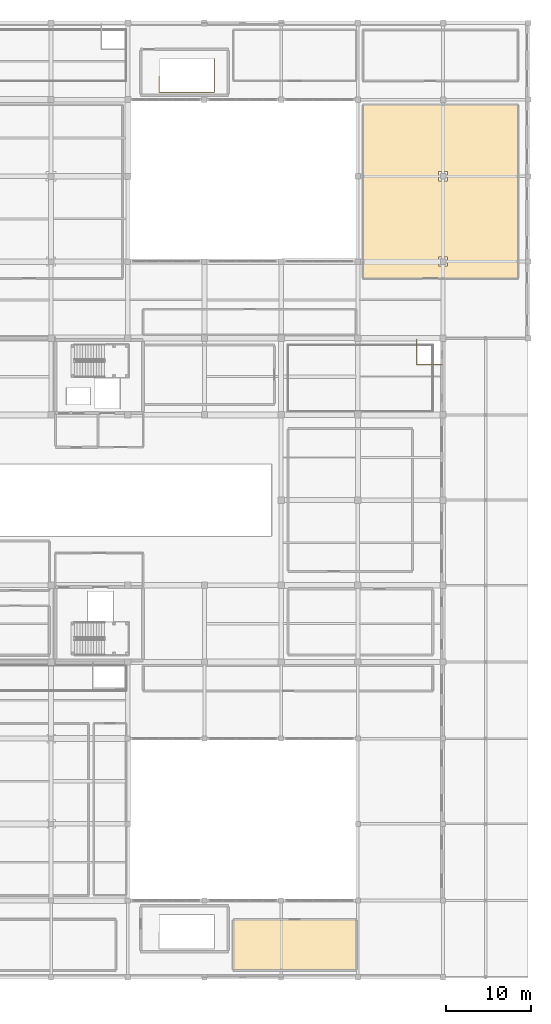
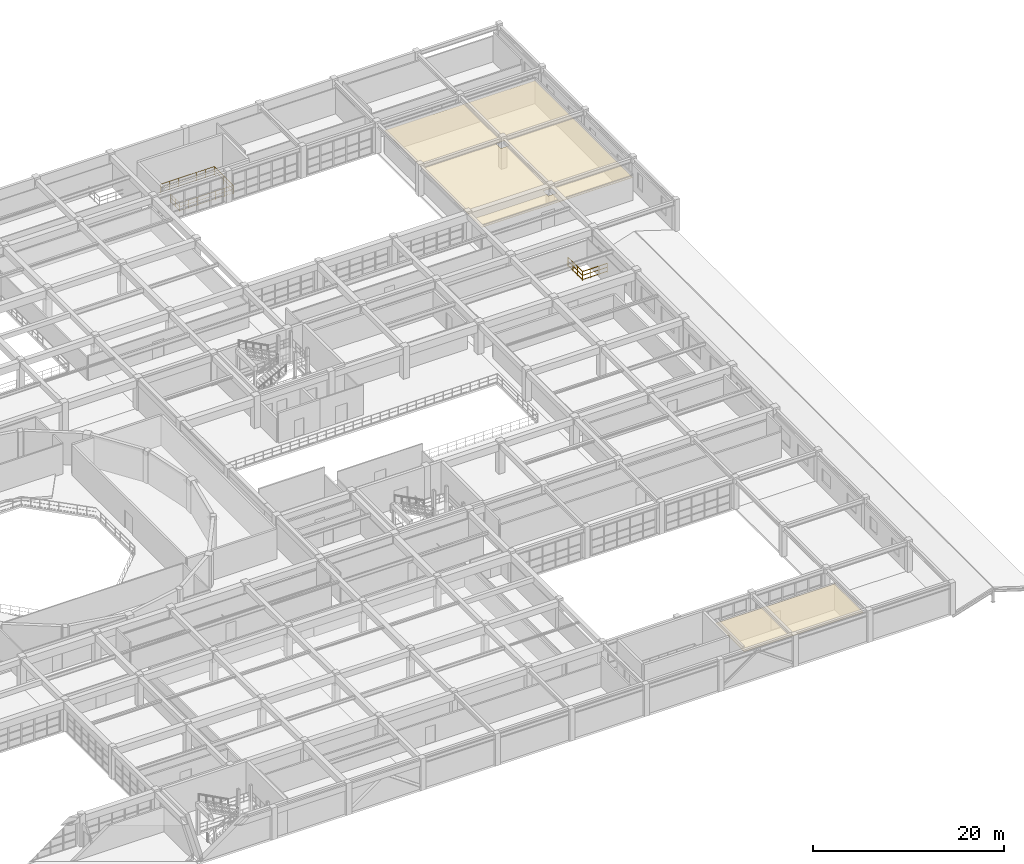
# One storey, part 130 of 130: 2 coverings, 2 railings.
"""IFC4 building model written with IfcOpenShell, lengths in metres."""

from ifc_helpers import new_model, si_unit, direction, frame, origin, origin_2d, place, context, subcontext, project, spatial, polyline, circle, outline, extrude, material, layer, layer_set, type_object, element, save


model = new_model("IFC4")

# Units and contexts
model_context = context("Model", 3, precision=1e-05, world=origin(), true_north=direction((0.0, 1.0)))
body_context = subcontext(model_context, "Body", "Model", "MODEL_VIEW")
ifc_project = project(units=[si_unit("LENGTHUNIT", "METRE"), si_unit("AREAUNIT", "SQUARE_METRE"), si_unit("VOLUMEUNIT", "CUBIC_METRE"), si_unit("PLANEANGLEUNIT", "RADIAN"), si_unit("MASSUNIT", "GRAM", prefix="KILO")], contexts=[model_context])

# Site, building, storey
site_placement = place(None, origin())
site = spatial("IfcSite", under=ifc_project, at=site_placement, CompositionType="ELEMENT")
building_placement = place(site_placement, origin())
building = spatial("IfcBuilding", under=site, at=building_placement, Name="Miravela Opera House", CompositionType="ELEMENT")
storey_placement = place(building_placement, frame((0.0, 0.0, 9.52001953125)))
storey = spatial("IfcBuildingStorey", under=building, at=storey_placement, Name="L02", CompositionType="ELEMENT", Elevation=9.52001953125)

# Coverings
ifc_material_1 = material(Name="Spanish Colonial coffered lime-plaster ceiling")
ifc_layer = layer(ifc_material_1, 0.0419921875)
ifc_layer_set = layer_set([ifc_layer])
covering_type = type_object("IfcCoveringType", Name="ARC-CEIL-COFFER-42", PredefinedType="CEILING", material=ifc_layer_set)
covering_1_placement = place(storey_placement, frame((0.0, 0.0, 2.840087890625)))
element("IfcCovering", 1, at=covering_1_placement, inside=storey, type_object=covering_type, Name="Choir Rehearsal Hall Acoustic Ceiling", PredefinedType="CEILING", context=body_context, shape_type="SweptSolid", body=[
    extrude(outline(polyline([(144.60009765625, 82.0), (162.800048828125, 82.0), (162.800048828125, 102.39990234375), (144.60009765625, 102.39990234375), (144.60009765625, 82.0)]), holes=[polyline([(153.46044921875, 83.46044921875), (154.53955078125, 83.46044921875), (154.53955078125, 84.53955078125), (153.46044921875, 84.53955078125), (153.46044921875, 83.46044921875)]), polyline([(153.46044921875, 93.46044921875), (154.53955078125, 93.46044921875), (154.53955078125, 94.53955078125), (153.46044921875, 94.53955078125), (153.46044921875, 93.46044921875)])]), origin(), (0.0, 0.0, 1.0), 0.0419921875),
])
covering_2_placement = place(storey_placement, frame((0.0, 0.0, 3.197021484375)))
element("IfcCovering", 2, at=covering_2_placement, inside=storey, type_object=covering_type, Name="Male Chorus Dressing Suite Acoustic Ceiling", PredefinedType="CEILING", context=body_context, shape_type="SweptSolid", body=[
    extrude(outline(polyline([(129.39990234375, 0.800048828125), (143.800048828125, 0.800048828125), (143.800048828125, 6.800048828125), (129.39990234375, 6.800048828125), (129.39990234375, 0.800048828125)])), origin(), (0.0, 0.0, 1.0), 0.0419921875),
])

# Railings
ifc_material_2 = material(Name="Painted wrought-iron stair guardrail")
railing_type_1 = type_object("IfcRailingType", Name="ARC-RAIL-STAIR-GUARD", PredefinedType="GUARDRAIL", material=ifc_material_2)
railing_1_placement = place(storey_placement, frame((120.68994140625, 105.77001953125, 0.0)))
element("IfcRailing", 3, at=railing_1_placement, inside=storey, type_object=railing_type_1, Name="Stair ST-09 Well Slab Opening Guard (L02) 0086", PredefinedType="GUARDRAIL", context=body_context, shape_type="SweptSolid", body=[
    extrude(circle(Radius=0.02392578125, at=origin_2d()), frame((0.0, 0.0, 1.076171875), z_axis=(0.0, -1.0, 0.0), x_axis=(1.0, 0.0, 0.0)), (0.0, 0.0, 1.0), 1.919921875),
    extrude(circle(Radius=0.01611328125, at=origin_2d()), frame((0.0, 0.0, 0.60498046875), z_axis=(0.0, -1.0, 0.0), x_axis=(1.0, 0.0, 0.0)), (0.0, 0.0, 1.0), 1.919921875),
    extrude(circle(Radius=0.01611328125, at=origin_2d()), frame((0.0, 0.0, 0.1201171875), z_axis=(0.0, -1.0, 0.0), x_axis=(1.0, 0.0, 0.0)), (0.0, 0.0, 1.0), 1.919921875),
    extrude(circle(Radius=0.02392578125, at=origin_2d()), frame((0.0, -1.919921875, 1.076171875), z_axis=(1.0, 0.0, 0.0), x_axis=(0.0, 1.0, 0.0)), (0.0, 0.0, 1.0), 6.4599609375),
    extrude(circle(Radius=0.01611328125, at=origin_2d()), frame((0.0, -1.919921875, 0.60498046875), z_axis=(1.0, 0.0, 0.0), x_axis=(0.0, 1.0, 0.0)), (0.0, 0.0, 1.0), 6.4599609375),
    extrude(circle(Radius=0.01611328125, at=origin_2d()), frame((0.0, -1.919921875, 0.1201171875), z_axis=(1.0, 0.0, 0.0), x_axis=(0.0, 1.0, 0.0)), (0.0, 0.0, 1.0), 6.4599609375),
    extrude(circle(Radius=0.02392578125, at=origin_2d()), frame((6.4599609375, -1.919921875, 1.076171875), z_axis=(0.0, 1.0, 0.0), x_axis=(-1.0, 0.0, 0.0)), (0.0, 0.0, 1.0), 3.97998046875),
    extrude(circle(Radius=0.01611328125, at=origin_2d()), frame((6.4599609375, -1.919921875, 0.60498046875), z_axis=(0.0, 1.0, 0.0), x_axis=(-1.0, 0.0, 0.0)), (0.0, 0.0, 1.0), 3.97998046875),
    extrude(circle(Radius=0.01611328125, at=origin_2d()), frame((6.4599609375, -1.919921875, 0.1201171875), z_axis=(0.0, 1.0, 0.0), x_axis=(-1.0, 0.0, 0.0)), (0.0, 0.0, 1.0), 3.97998046875),
    extrude(circle(Radius=0.02392578125, at=origin_2d()), frame((6.4599609375, 2.06005859375, 1.076171875), z_axis=(-1.0, 0.0, 0.0), x_axis=(0.0, -1.0, 0.0)), (0.0, 0.0, 1.0), 6.4599609375),
    extrude(circle(Radius=0.01611328125, at=origin_2d()), frame((6.4599609375, 2.06005859375, 0.60498046875), z_axis=(-1.0, 0.0, 0.0), x_axis=(0.0, -1.0, 0.0)), (0.0, 0.0, 1.0), 6.4599609375),
    extrude(circle(Radius=0.01611328125, at=origin_2d()), frame((6.4599609375, 2.06005859375, 0.1201171875), z_axis=(-1.0, 0.0, 0.0), x_axis=(0.0, -1.0, 0.0)), (0.0, 0.0, 1.0), 6.4599609375),
    extrude(circle(Radius=0.02099609375, at=origin_2d()), origin(), (0.0, 0.0, 1.0), 1.052001953125),
    extrude(circle(Radius=0.02099609375, at=origin_2d()), frame((0.0, -0.9599609375, 0.0)), (0.0, 0.0, 1.0), 1.052001953125),
    extrude(circle(Radius=0.02099609375, at=origin_2d()), frame((0.0, -1.919921875, 0.0)), (0.0, 0.0, 1.0), 1.052001953125),
    extrude(circle(Radius=0.02099609375, at=origin_2d()), frame((1.07666015625, -1.919921875, 0.0)), (0.0, 0.0, 1.0), 1.052001953125),
    extrude(circle(Radius=0.02099609375, at=origin_2d()), frame((2.1533203125, -1.919921875, 0.0)), (0.0, 0.0, 1.0), 1.052001953125),
    extrude(circle(Radius=0.02099609375, at=origin_2d()), frame((3.22998046875, -1.919921875, 0.0)), (0.0, 0.0, 1.0), 1.052001953125),
    extrude(circle(Radius=0.02099609375, at=origin_2d()), frame((4.306640625, -1.919921875, 0.0)), (0.0, 0.0, 1.0), 1.052001953125),
    extrude(circle(Radius=0.02099609375, at=origin_2d()), frame((5.38330078125, -1.919921875, 0.0)), (0.0, 0.0, 1.0), 1.052001953125),
    extrude(circle(Radius=0.02099609375, at=origin_2d()), frame((6.4599609375, -1.919921875, 0.0)), (0.0, 0.0, 1.0), 1.052001953125),
    extrude(circle(Radius=0.02099609375, at=origin_2d()), frame((6.4599609375, -0.9248046875, 0.0)), (0.0, 0.0, 1.0), 1.052001953125),
    extrude(circle(Radius=0.02099609375, at=origin_2d()), frame((6.4599609375, 0.070068359375, 0.0)), (0.0, 0.0, 1.0), 1.052001953125),
    extrude(circle(Radius=0.02099609375, at=origin_2d()), frame((6.4599609375, 1.06494140625, 0.0)), (0.0, 0.0, 1.0), 1.052001953125),
    extrude(circle(Radius=0.02099609375, at=origin_2d()), frame((6.4599609375, 2.06005859375, 0.0)), (0.0, 0.0, 1.0), 1.052001953125),
    extrude(circle(Radius=0.02099609375, at=origin_2d()), frame((5.38330078125, 2.06005859375, 0.0)), (0.0, 0.0, 1.0), 1.052001953125),
    extrude(circle(Radius=0.02099609375, at=origin_2d()), frame((4.306640625, 2.06005859375, 0.0)), (0.0, 0.0, 1.0), 1.052001953125),
    extrude(circle(Radius=0.02099609375, at=origin_2d()), frame((3.22998046875, 2.06005859375, 0.0)), (0.0, 0.0, 1.0), 1.052001953125),
    extrude(circle(Radius=0.02099609375, at=origin_2d()), frame((2.1533203125, 2.06005859375, 0.0)), (0.0, 0.0, 1.0), 1.052001953125),
    extrude(circle(Radius=0.02099609375, at=origin_2d()), frame((1.07666015625, 2.06005859375, 0.0)), (0.0, 0.0, 1.0), 1.052001953125),
    extrude(circle(Radius=0.02099609375, at=origin_2d()), frame((0.0, 2.06005859375, 0.0)), (0.0, 0.0, 1.0), 1.052001953125),
])
ifc_material_3 = material(Name="Spanish Colonial wrought-iron terrace guard")
railing_type_2 = type_object("IfcRailingType", Name="ARC-RAIL-TERR-GUARD", PredefinedType="GUARDRAIL", material=ifc_material_3)
railing_2_placement = place(storey_placement, frame((153.89990234375, 71.89990234375, 0.0)))
element("IfcRailing", 4, at=railing_2_placement, inside=storey, type_object=railing_type_2, Name="SLAB-L02-V2E Stepped Corner Guardrail 0182", PredefinedType="GUARDRAIL", context=body_context, shape_type="SweptSolid", body=[
    extrude(circle(Radius=0.02685546875, at=origin_2d()), frame((0.0, 0.0, 1.1328125), z_axis=(-1.0, 0.0, 0.0), x_axis=(0.0, -1.0, 0.0)), (0.0, 0.0, 1.0), 3.0),
    extrude(circle(Radius=0.01611328125, at=origin_2d()), frame((0.0, 0.0, 0.637939453125), z_axis=(-1.0, 0.0, 0.0), x_axis=(0.0, -1.0, 0.0)), (0.0, 0.0, 1.0), 3.0),
    extrude(circle(Radius=0.01611328125, at=origin_2d()), frame((0.0, 0.0, 0.1201171875), z_axis=(-1.0, 0.0, 0.0), x_axis=(0.0, -1.0, 0.0)), (0.0, 0.0, 1.0), 3.0),
    extrude(circle(Radius=0.02685546875, at=origin_2d()), frame((-3.0, 0.0, 1.1328125), z_axis=(0.0, 1.0, 0.0), x_axis=(-1.0, 0.0, 0.0)), (0.0, 0.0, 1.0), 3.0),
    extrude(circle(Radius=0.01611328125, at=origin_2d()), frame((-3.0, 0.0, 0.637939453125), z_axis=(0.0, 1.0, 0.0), x_axis=(-1.0, 0.0, 0.0)), (0.0, 0.0, 1.0), 3.0),
    extrude(circle(Radius=0.01611328125, at=origin_2d()), frame((-3.0, 0.0, 0.1201171875), z_axis=(0.0, 1.0, 0.0), x_axis=(-1.0, 0.0, 0.0)), (0.0, 0.0, 1.0), 3.0),
    extrude(circle(Radius=0.02099609375, at=origin_2d()), origin(), (0.0, 0.0, 1.0), 1.10595703125),
    extrude(circle(Radius=0.02099609375, at=origin_2d()), frame((-1.0, 0.0, 0.0)), (0.0, 0.0, 1.0), 1.10595703125),
    extrude(circle(Radius=0.02099609375, at=origin_2d()), frame((-2.0, 0.0, 0.0)), (0.0, 0.0, 1.0), 1.10595703125),
    extrude(circle(Radius=0.02099609375, at=origin_2d()), frame((-3.0, 0.0, 0.0)), (0.0, 0.0, 1.0), 1.10595703125),
    extrude(circle(Radius=0.02099609375, at=origin_2d()), frame((-3.0, 1.0, 0.0)), (0.0, 0.0, 1.0), 1.10595703125),
    extrude(circle(Radius=0.02099609375, at=origin_2d()), frame((-3.0, 2.0, 0.0)), (0.0, 0.0, 1.0), 1.10595703125),
    extrude(circle(Radius=0.02099609375, at=origin_2d()), frame((-3.0, 3.0, 0.0)), (0.0, 0.0, 1.0), 1.10595703125),
])

save(model, "model.ifc")
